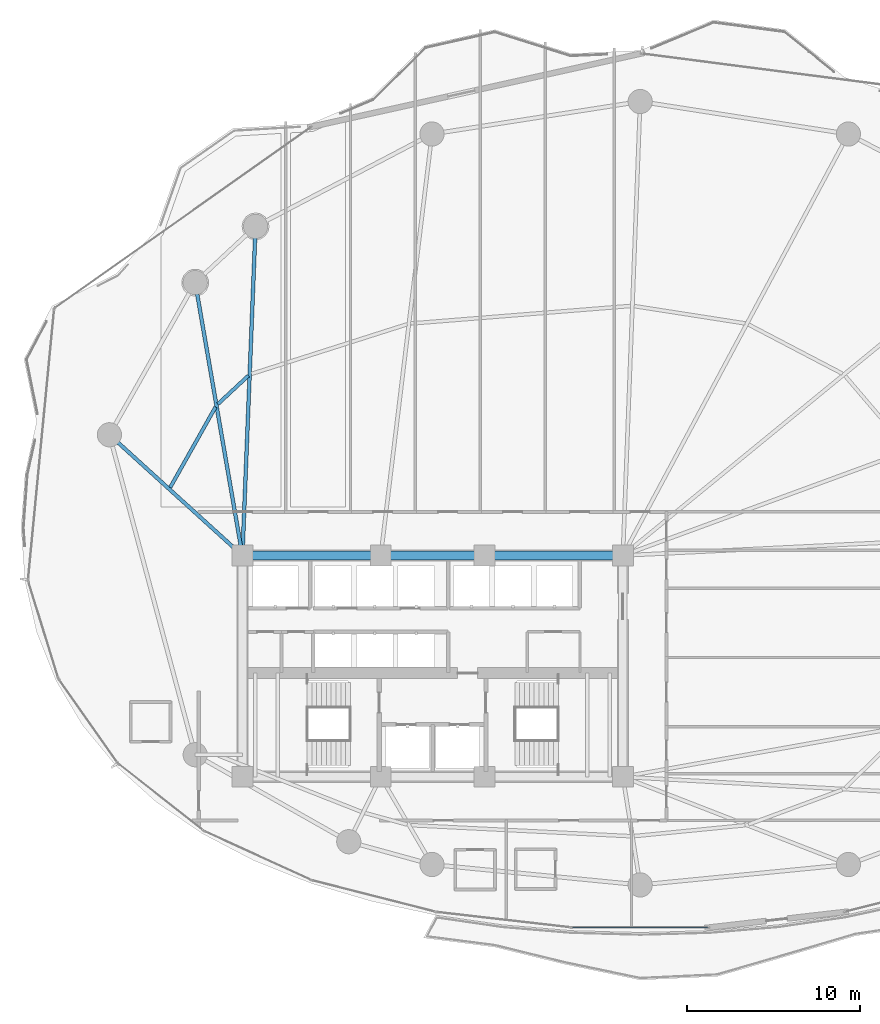
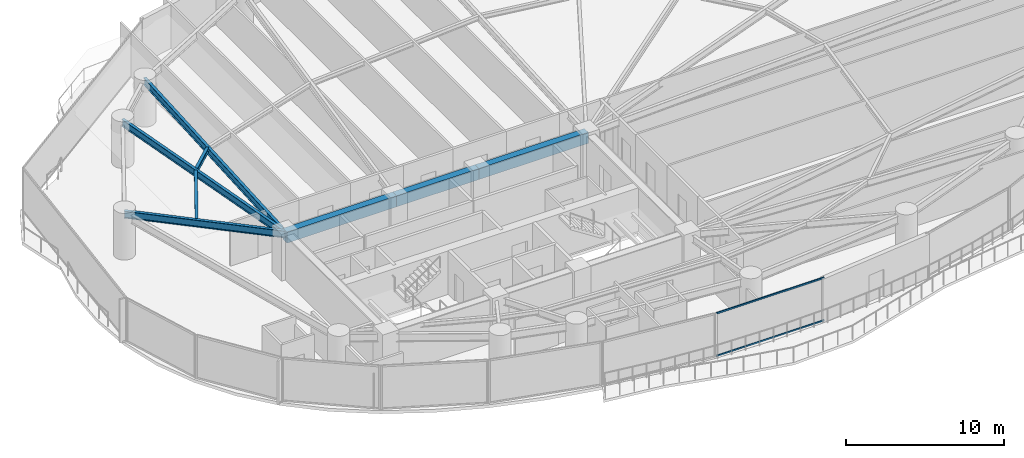
# One storey, part 9 of 32: 8 beams, 2 members, 1 element without a shape of its own.
"""IFC4 building model written with IfcOpenShell, lengths in metres."""

from ifc_helpers import new_model, si_unit, direction, frame, origin, origin_2d, place, context, subcontext, project, spatial, rectangle, hollow_rectangle, i_section, extrude, material, layer, layer_set, material_profile, profile_set, type_object, element, aggregate, save


model = new_model("IFC4")

# Units and contexts
model_context = context("Model", 3, precision=1e-05, world=origin(), true_north=direction((0.0, 1.0)))
body_context = subcontext(model_context, "Body", "Model", "MODEL_VIEW")
ifc_project = project(units=[si_unit("LENGTHUNIT", "METRE"), si_unit("AREAUNIT", "SQUARE_METRE"), si_unit("VOLUMEUNIT", "CUBIC_METRE"), si_unit("PLANEANGLEUNIT", "RADIAN"), si_unit("MASSUNIT", "GRAM", prefix="KILO")], contexts=[model_context])

# Site, building, storey
site_placement = place(None, origin())
site = spatial("IfcSite", under=ifc_project, at=site_placement, CompositionType="ELEMENT")
building_placement = place(site_placement, origin())
building = spatial("IfcBuilding", under=site, at=building_placement, Name="Kazevale Care Tower and Concert Hall", CompositionType="ELEMENT")
storey_placement = place(building_placement, frame((0.0, 0.0, 34.800048828125)))
storey = spatial("IfcBuildingStorey", under=building, at=storey_placement, Name="L08", CompositionType="ELEMENT", Elevation=34.800048828125)

# Curtain wall, members
ifc_material_1 = material(Name="Aluminium 6063-T6 and Low-E Glass", Category="aluminium")
ifc_layer = layer(ifc_material_1, 0.179931640625)
ifc_layer_set = layer_set([ifc_layer], Name="Aluminium 6063-T6 and Low-E Glass")
curtain_wall_type = type_object("IfcCurtainWallType", Name="Sheltered Concave Balcony Curtain Wall CW-5", PredefinedType="NOTDEFINED", material=ifc_layer_set)
curtain_wall_placement = place(storey_placement, origin())
curtain_wall = element("IfcCurtainWall", 1, at=curtain_wall_placement, inside=storey, type_object=curtain_wall_type, Name="cw:L08:f06", PredefinedType="NOTDEFINED")
ifc_material_2 = material(Name="Aluminium 6063-T6", Category="aluminium")
ifc_material_profile_1 = material_profile(ifc_material_2, hollow_rectangle(XDim=0.074951171875, YDim=0.1201171875, WallThickness=0.00390625, at=origin_2d()), Name="ALU75x120x4")
ifc_profile_set_1 = profile_set([ifc_material_profile_1], Name="Aluminium 6063-T6")
member_type = type_object("IfcMemberType", Name="CW-5 Transom ALU75x120x4", PredefinedType="USERDEFINED", material=ifc_profile_set_1)
member_1_placement = place(storey_placement, frame((48.923095703125, 14.889892578125, 0.037353515625), z_axis=(-1.0, 0.0, 0.0), x_axis=(0.0, -1.0, 0.0)))
member_1 = element("IfcMember", 2, at=member_1_placement, type_object=member_type, Name="CW-5 transom 1.1", ObjectType="TRANSOM", PredefinedType="USERDEFINED", context=body_context, shape_type="SweptSolid", body=[
    extrude(hollow_rectangle(XDim=0.074951171875, YDim=0.1201171875, WallThickness=0.00390625, at=origin_2d()), origin(), (0.0, 0.0, 1.0), 7.84619140625),
])
member_2_placement = place(storey_placement, frame((48.923095703125, 14.889892578125, 3.322509765625), z_axis=(-1.0, 0.0, 0.0), x_axis=(0.0, -1.0, 0.0)))
member_2 = element("IfcMember", 3, at=member_2_placement, type_object=member_type, Name="CW-5 transom 1.2", ObjectType="TRANSOM", PredefinedType="USERDEFINED", context=body_context, shape_type="SweptSolid", body=[
    extrude(hollow_rectangle(XDim=0.074951171875, YDim=0.1201171875, WallThickness=0.00390625, at=origin_2d()), origin(), (0.0, 0.0, 1.0), 7.84619140625),
])
aggregate(curtain_wall, [member_1, member_2])

# Beams
ifc_material_3 = material(Name="Concrete C60", Category="concrete")
ifc_material_profile_2 = material_profile(ifc_material_3, rectangle(XDim=0.5, YDim=0.85009765625, at=origin_2d()), Name="RC-B500x850")
ifc_profile_set_2 = profile_set([ifc_material_profile_2], Name="Concrete C60")
beam_type_1 = type_object("IfcBeamType", Name="Core Coupling Beam RC500x850", PredefinedType="LINTEL", material=ifc_profile_set_2)
beam_1_placement = place(storey_placement, frame((44.0, 36.39990234375, 2.93505859375), z_axis=(-1.0, 0.0, 0.0), x_axis=(0.0, -1.0, 0.0)))
element("IfcBeam", 4, at=beam_1_placement, inside=storey, type_object=beam_type_1, Name="beam:L08:coretie:5", PredefinedType="LINTEL", context=body_context, shape_type="SweptSolid", body=[
    extrude(rectangle(XDim=0.5, YDim=0.85009765625, at=origin_2d()), origin(), (0.0, 0.0, 1.0), 8.0),
])
beam_2_placement = place(storey_placement, frame((36.0, 36.39990234375, 2.93505859375), z_axis=(-1.0, 0.0, 0.0), x_axis=(0.0, -1.0, 0.0)))
element("IfcBeam", 5, at=beam_2_placement, inside=storey, type_object=beam_type_1, Name="beam:L08:coretie:6", PredefinedType="LINTEL", context=body_context, shape_type="SweptSolid", body=[
    extrude(rectangle(XDim=0.5, YDim=0.85009765625, at=origin_2d()), origin(), (0.0, 0.0, 1.0), 6.0),
])
beam_3_placement = place(storey_placement, frame((30.0, 36.39990234375, 2.93505859375), z_axis=(-1.0, 0.0, 0.0), x_axis=(0.0, -1.0, 0.0)))
element("IfcBeam", 6, at=beam_3_placement, inside=storey, type_object=beam_type_1, Name="beam:L08:coretie:7", PredefinedType="LINTEL", context=body_context, shape_type="SweptSolid", body=[
    extrude(rectangle(XDim=0.5, YDim=0.85009765625, at=origin_2d()), origin(), (0.0, 0.0, 1.0), 8.0),
])
ifc_material_4 = material(Name="Steel ASTM A572 Gr 50", Category="steel")
ifc_material_profile_3 = material_profile(ifc_material_4, i_section(OverallWidth=0.2119140625, OverallDepth=0.5439453125, WebThickness=0.01318359375, FlangeThickness=0.021240234375, at=origin_2d()), Name="W530x123")
ifc_profile_set_3 = profile_set([ifc_material_profile_3], Name="Steel ASTM A572 Gr 50")
beam_type_2 = type_object("IfcBeamType", Name="Radial Floor Girder W530x123", PredefinedType="BEAM", material=ifc_profile_set_3)
beam_4_placement = place(storey_placement, frame((22.0, 36.39990234375, 3.087890625), z_axis=(0.039905581428, 0.999203455044, 0.0), x_axis=(-0.999203455044, 0.039905581428, 0.0)))
element("IfcBeam", 7, at=beam_4_placement, inside=storey, type_object=beam_type_2, Name="beam:L08:rad:07", PredefinedType="BEAM", context=body_context, shape_type="SweptSolid", body=[
    extrude(i_section(OverallWidth=0.2119140625, OverallDepth=0.5439453125, WebThickness=0.01318359375, FlangeThickness=0.021240234375, at=origin_2d()), origin(), (0.0, 0.0, 1.0), 19.045166015625),
])
beam_5_placement = place(storey_placement, frame((22.0, 36.39990234375, 3.087890625), z_axis=(-0.170469986865, 0.985362868987, 0.0), x_axis=(-0.985362868987, -0.170469986865, 0.0)))
element("IfcBeam", 8, at=beam_5_placement, inside=storey, type_object=beam_type_2, Name="beam:L08:rad:08", PredefinedType="BEAM", context=body_context, shape_type="SweptSolid", body=[
    extrude(i_section(OverallWidth=0.2119140625, OverallDepth=0.5439453125, WebThickness=0.01318359375, FlangeThickness=0.021240234375, at=origin_2d()), origin(), (0.0, 0.0, 1.0), 16.014404296875),
])
beam_6_placement = place(storey_placement, frame((22.0, 36.39990234375, 3.087890625), z_axis=(-0.740461073653, 0.672099247436, 0.0), x_axis=(-0.672099247436, -0.740461073653, 0.0)))
element("IfcBeam", 9, at=beam_6_placement, inside=storey, type_object=beam_type_2, Name="beam:L08:rad:09", PredefinedType="BEAM", context=body_context, shape_type="SweptSolid", body=[
    extrude(i_section(OverallWidth=0.2119140625, OverallDepth=0.5439453125, WebThickness=0.01318359375, FlangeThickness=0.021240234375, at=origin_2d()), origin(), (0.0, 0.0, 1.0), 10.38525390625),
])
ifc_material_profile_4 = material_profile(ifc_material_4, i_section(OverallWidth=0.205078125, OverallDepth=0.35400390625, WebThickness=0.009521484375, FlangeThickness=0.016845703125, at=origin_2d()), Name="W360x79")
ifc_profile_set_4 = profile_set([ifc_material_profile_4], Name="Steel ASTM A572 Gr 50")
beam_type_3 = type_object("IfcBeamType", Name="Secondary Floor Joist W360x79", PredefinedType="JOIST", material=ifc_profile_set_4)
beam_7_placement = place(storey_placement, frame((22.341064453125, 46.794921875, 3.182861328125), z_axis=(-0.73194965424, -0.68135871878, 0.0), x_axis=(0.68135871878, -0.73194965424, 0.0)))
element("IfcBeam", 10, at=beam_7_placement, inside=storey, type_object=beam_type_3, Name="beam:L08:joist:07", PredefinedType="JOIST", context=body_context, shape_type="SweptSolid", body=[
    extrude(i_section(OverallWidth=0.205078125, OverallDepth=0.35400390625, WebThickness=0.009521484375, FlangeThickness=0.016845703125, at=origin_2d()), origin(), (0.0, 0.0, 1.0), 2.412841796875),
])
beam_8_placement = place(storey_placement, frame((20.447021484375, 44.988037109375, 3.182861328125), z_axis=(-0.490956987312, -0.871183813331, 0.0), x_axis=(0.871183813331, -0.490956987312, 0.0)))
element("IfcBeam", 11, at=beam_8_placement, inside=storey, type_object=beam_type_3, Name="beam:L08:joist:08", PredefinedType="JOIST", context=body_context, shape_type="SweptSolid", body=[
    extrude(i_section(OverallWidth=0.205078125, OverallDepth=0.35400390625, WebThickness=0.009521484375, FlangeThickness=0.016845703125, at=origin_2d()), origin(), (0.0, 0.0, 1.0), 5.3466796875),
])

save(model, "model.ifc")
